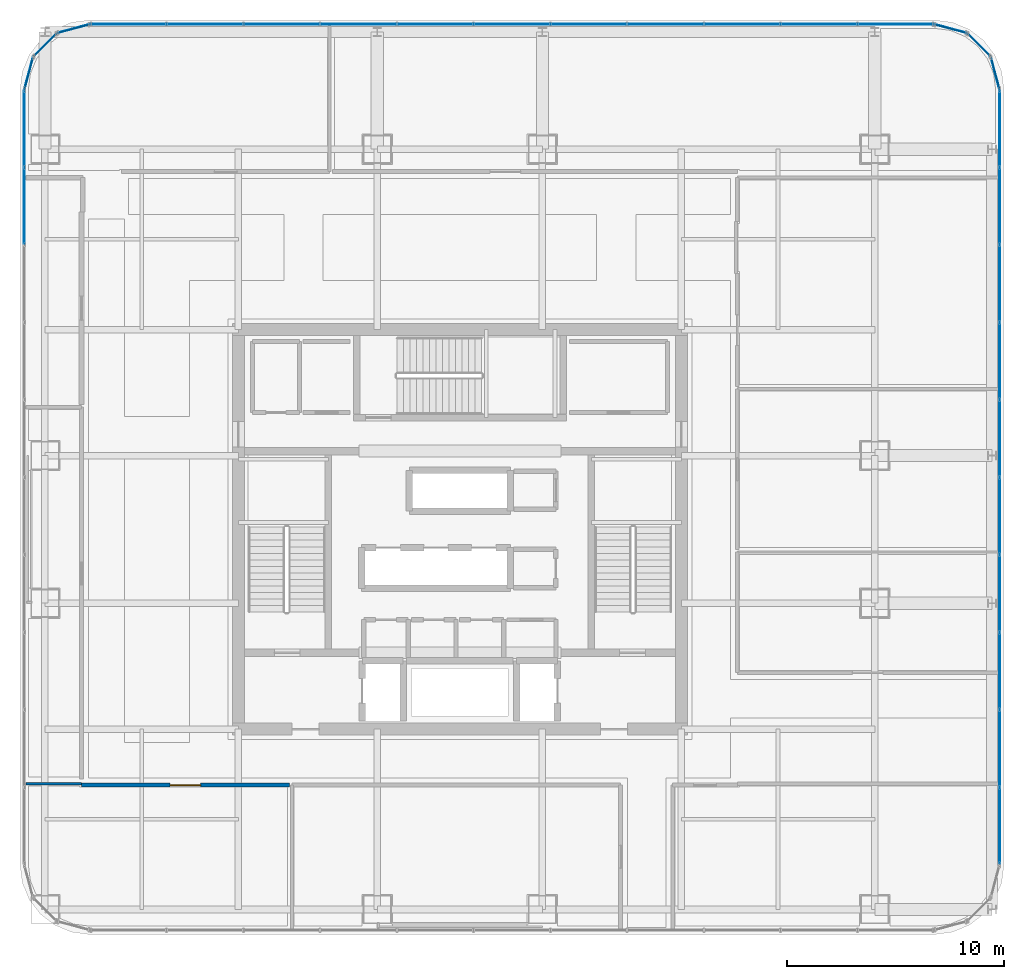
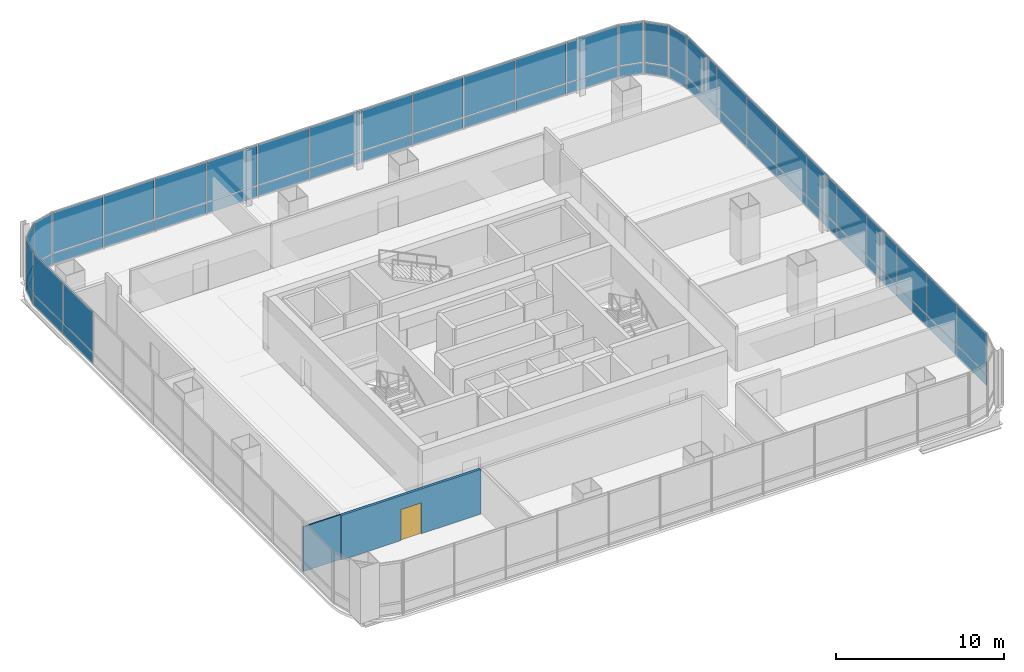
# One storey, part 32 of 42: 58 plates, 2 walls, 1 door, 1 opening, 9 elements without a shape of their own.
"""IFC4 building model written with IfcOpenShell, lengths in metres."""

from ifc_helpers import new_model, si_unit, direction, frame, frame_2d, origin, origin_2d, place, context, subcontext, project, spatial, rectangle, extrude, material, layer, layer_set, type_object, element, fill, aggregate, save


model = new_model("IFC4")

# Units and contexts
model_context = context("Model", 3, precision=1e-05, world=origin(), true_north=direction((0.0, 1.0)))
body_context = subcontext(model_context, "Body", "Model", "MODEL_VIEW")
ifc_project = project(units=[si_unit("LENGTHUNIT", "METRE"), si_unit("AREAUNIT", "SQUARE_METRE"), si_unit("VOLUMEUNIT", "CUBIC_METRE"), si_unit("PLANEANGLEUNIT", "RADIAN"), si_unit("MASSUNIT", "GRAM", prefix="KILO")], contexts=[model_context])

# Site, building, storey
site_placement = place(None, origin())
site = spatial("IfcSite", under=ifc_project, at=site_placement, CompositionType="ELEMENT")
building_placement = place(site_placement, origin())
building = spatial("IfcBuilding", under=site, at=building_placement, Name="Punatoya Terracotta Tower", CompositionType="ELEMENT")
storey_placement = place(building_placement, frame((0.0, 0.0, 255.449951171875)))
storey = spatial("IfcBuildingStorey", under=building, at=storey_placement, Name="L60", CompositionType="ELEMENT", Elevation=255.449951171875)

# Curtain wall, plates
ifc_material_1 = material(Name="Aluminium 6063-T6 + Double Low-E Glass", Category="aluminium")
curtain_wall_type = type_object("IfcCurtainWallType", Name="CW-M3", PredefinedType="NOTDEFINED", material=ifc_material_1)
curtain_wall_1_placement = place(storey_placement, origin())
curtain_wall_1 = element("IfcCurtainWall", 1, at=curtain_wall_1_placement, inside=storey, type_object=curtain_wall_type, Name="L60 Curtain Wall CW-L60-E05-1", PredefinedType="NOTDEFINED")
ifc_material_2 = material(Name="Double Low-E Acoustic Vision Glass", Category="glass")
ifc_layer_1 = layer(ifc_material_2, 0.031982421875)
ifc_layer_set_1 = layer_set([ifc_layer_1], Name="Double Low-E Acoustic Vision Glass")
plate_type_1 = type_object("IfcPlateType", Name="PLT-GLZ-32", PredefinedType="CURTAIN_PANEL", material=ifc_layer_set_1)
plate_1_placement = place(storey_placement, frame((24.85009765625, -13.6533203125, 0.89013671875), z_axis=(0.0, 0.0, 1.0), x_axis=(0.0, 1.0, 0.0)))
plate_1 = element("IfcPlate", 2, at=plate_1_placement, type_object=plate_type_1, Name="CW-L60-E05-1 Vision Glass Panel 1", PredefinedType="CURTAIN_PANEL", context=body_context, shape_type="SweptSolid", body=[
    extrude(rectangle(XDim=3.482421875, YDim=0.031982421875, at=origin_2d()), origin(), (0.0, 0.0, 1.0), 2.919921875),
])
plate_2_placement = place(storey_placement, frame((24.85009765625, -10.085693359375, 0.89013671875), z_axis=(0.0, 0.0, 1.0), x_axis=(0.0, 1.0, 0.0)))
plate_2 = element("IfcPlate", 3, at=plate_2_placement, type_object=plate_type_1, Name="CW-L60-E05-1 Vision Glass Panel 2", PredefinedType="CURTAIN_PANEL", context=body_context, shape_type="SweptSolid", body=[
    extrude(rectangle(XDim=3.482421875, YDim=0.031982421875, at=origin_2d()), origin(), (0.0, 0.0, 1.0), 2.919921875),
])
plate_3_placement = place(storey_placement, frame((24.85009765625, -6.518310546875, 0.89013671875), z_axis=(0.0, 0.0, 1.0), x_axis=(0.0, 1.0, 0.0)))
plate_3 = element("IfcPlate", 4, at=plate_3_placement, type_object=plate_type_1, Name="CW-L60-E05-1 Vision Glass Panel 3", PredefinedType="CURTAIN_PANEL", context=body_context, shape_type="SweptSolid", body=[
    extrude(rectangle(XDim=3.482421875, YDim=0.031982421875, at=origin_2d()), origin(), (0.0, 0.0, 1.0), 2.919921875),
])
plate_4_placement = place(storey_placement, frame((24.85009765625, -2.951171875, 0.89013671875), z_axis=(0.0, 0.0, 1.0), x_axis=(0.0, 1.0, 0.0)))
plate_4 = element("IfcPlate", 5, at=plate_4_placement, type_object=plate_type_1, Name="CW-L60-E05-1 Vision Glass Panel 4", PredefinedType="CURTAIN_PANEL", context=body_context, shape_type="SweptSolid", body=[
    extrude(rectangle(XDim=3.482421875, YDim=0.031982421875, at=origin_2d()), origin(), (0.0, 0.0, 1.0), 2.919921875),
])
plate_5_placement = place(storey_placement, frame((24.85009765625, 0.6162109375, 0.89013671875), z_axis=(0.0, 0.0, 1.0), x_axis=(0.0, 1.0, 0.0)))
plate_5 = element("IfcPlate", 6, at=plate_5_placement, type_object=plate_type_1, Name="CW-L60-E05-1 Vision Glass Panel 5", PredefinedType="CURTAIN_PANEL", context=body_context, shape_type="SweptSolid", body=[
    extrude(rectangle(XDim=3.482421875, YDim=0.031982421875, at=origin_2d()), origin(), (0.0, 0.0, 1.0), 2.919921875),
])
plate_6_placement = place(storey_placement, frame((24.85009765625, 4.18359375, 0.89013671875), z_axis=(0.0, 0.0, 1.0), x_axis=(0.0, 1.0, 0.0)))
plate_6 = element("IfcPlate", 7, at=plate_6_placement, type_object=plate_type_1, Name="CW-L60-E05-1 Vision Glass Panel 6", PredefinedType="CURTAIN_PANEL", context=body_context, shape_type="SweptSolid", body=[
    extrude(rectangle(XDim=3.482421875, YDim=0.031982421875, at=origin_2d()), origin(), (0.0, 0.0, 1.0), 2.919921875),
])
plate_7_placement = place(storey_placement, frame((24.85009765625, 7.751220703125, 0.89013671875), z_axis=(0.0, 0.0, 1.0), x_axis=(0.0, 1.0, 0.0)))
plate_7 = element("IfcPlate", 8, at=plate_7_placement, type_object=plate_type_1, Name="CW-L60-E05-1 Vision Glass Panel 7", PredefinedType="CURTAIN_PANEL", context=body_context, shape_type="SweptSolid", body=[
    extrude(rectangle(XDim=3.482421875, YDim=0.031982421875, at=origin_2d()), origin(), (0.0, 0.0, 1.0), 2.919921875),
])
plate_8_placement = place(storey_placement, frame((24.85009765625, 11.318359375, 0.89013671875), z_axis=(0.0, 0.0, 1.0), x_axis=(0.0, 1.0, 0.0)))
plate_8 = element("IfcPlate", 9, at=plate_8_placement, type_object=plate_type_1, Name="CW-L60-E05-1 Vision Glass Panel 8", PredefinedType="CURTAIN_PANEL", context=body_context, shape_type="SweptSolid", body=[
    extrude(rectangle(XDim=3.482421875, YDim=0.031982421875, at=origin_2d()), origin(), (0.0, 0.0, 1.0), 2.919921875),
])
plate_9_placement = place(storey_placement, frame((24.85009765625, 14.8857421875, 0.89013671875), z_axis=(0.0, 0.0, 1.0), x_axis=(0.0, 1.0, 0.0)))
plate_9 = element("IfcPlate", 10, at=plate_9_placement, type_object=plate_type_1, Name="CW-L60-E05-1 Vision Glass Panel 9", PredefinedType="CURTAIN_PANEL", context=body_context, shape_type="SweptSolid", body=[
    extrude(rectangle(XDim=3.482421875, YDim=0.031982421875, at=origin_2d()), origin(), (0.0, 0.0, 1.0), 2.919921875),
])
plate_10_placement = place(storey_placement, frame((24.85009765625, 18.453125, 0.89013671875), z_axis=(0.0, 0.0, 1.0), x_axis=(0.0, 1.0, 0.0)))
plate_10 = element("IfcPlate", 11, at=plate_10_placement, type_object=plate_type_1, Name="CW-L60-E05-1 Vision Glass Panel 10", PredefinedType="CURTAIN_PANEL", context=body_context, shape_type="SweptSolid", body=[
    extrude(rectangle(XDim=3.482421875, YDim=0.031982421875, at=origin_2d()), origin(), (0.0, 0.0, 1.0), 2.919921875),
])

# Curtain wall, plate
curtain_wall_2_placement = place(storey_placement, origin())
curtain_wall_2 = element("IfcCurtainWall", 12, at=curtain_wall_2_placement, inside=storey, type_object=curtain_wall_type, Name="L60 Curtain Wall CW-L60-CRN06", PredefinedType="NOTDEFINED")
plate_11_placement = place(storey_placement, frame((24.648193359375, 20.992919921875, 0.89013671875), z_axis=(0.0, 0.0, 1.0), x_axis=(-0.257741620719, 0.966213877436, 0.0)))
plate_11 = element("IfcPlate", 13, at=plate_11_placement, type_object=plate_type_1, Name="CW-L60-CRN06 Vision Glass Panel 1", PredefinedType="CURTAIN_PANEL", context=body_context, shape_type="SweptSolid", body=[
    extrude(rectangle(XDim=1.47998046875, YDim=0.031982421875, at=origin_2d()), origin(), (0.0, 0.0, 1.0), 2.919921875),
])

curtain_wall_3_placement = place(storey_placement, origin())
curtain_wall_3 = element("IfcCurtainWall", 14, at=curtain_wall_3_placement, inside=storey, type_object=curtain_wall_type, Name="L60 Curtain Wall CW-L60-CRN07", PredefinedType="NOTDEFINED")
plate_12_placement = place(storey_placement, frame((23.89794921875, 22.2978515625, 0.89013671875), z_axis=(0.0, 0.0, 1.0), x_axis=(-0.707106781187, 0.707106781187, 0.0)))
plate_12 = element("IfcPlate", 15, at=plate_12_placement, type_object=plate_type_1, Name="CW-L60-CRN07 Vision Glass Panel 1", PredefinedType="CURTAIN_PANEL", context=body_context, shape_type="SweptSolid", body=[
    extrude(rectangle(XDim=1.467041015625, YDim=0.031982421875, at=origin_2d()), origin(), (0.0, 0.0, 1.0), 2.919921875),
])

curtain_wall_4_placement = place(storey_placement, origin())
curtain_wall_4 = element("IfcCurtainWall", 16, at=curtain_wall_4_placement, inside=storey, type_object=curtain_wall_type, Name="L60 Curtain Wall CW-L60-CRN08", PredefinedType="NOTDEFINED")
plate_13_placement = place(storey_placement, frame((22.593017578125, 23.04833984375, 0.89013671875), z_axis=(0.0, 0.0, 1.0), x_axis=(-0.966213877436, 0.257741620719, 0.0)))
plate_13 = element("IfcPlate", 17, at=plate_13_placement, type_object=plate_type_1, Name="CW-L60-CRN08 Vision Glass Panel 1", PredefinedType="CURTAIN_PANEL", context=body_context, shape_type="SweptSolid", body=[
    extrude(rectangle(XDim=1.47998046875, YDim=0.031982421875, at=origin_2d()), origin(), (0.0, 0.0, 1.0), 2.919921875),
])

# Curtain wall, plates
curtain_wall_5_placement = place(storey_placement, origin())
curtain_wall_5 = element("IfcCurtainWall", 18, at=curtain_wall_5_placement, inside=storey, type_object=curtain_wall_type, Name="L60 Curtain Wall CW-L60-N09-1", PredefinedType="NOTDEFINED")
plate_14_placement = place(storey_placement, frame((20.06982421875, 23.25, 0.89013671875), z_axis=(0.0, 0.0, 1.0), x_axis=(-1.0, 0.0, 0.0)))
plate_14 = element("IfcPlate", 19, at=plate_14_placement, type_object=plate_type_1, Name="CW-L60-N09-1 Vision Glass Panel 1", PredefinedType="CURTAIN_PANEL", context=body_context, shape_type="SweptSolid", body=[
    extrude(rectangle(XDim=3.448974609375, YDim=0.031982421875, at=origin_2d()), origin(), (0.0, 0.0, 1.0), 2.919921875),
])
plate_15_placement = place(storey_placement, frame((16.535888671875, 23.25, 0.89013671875), z_axis=(0.0, 0.0, 1.0), x_axis=(-1.0, 0.0, 0.0)))
plate_15 = element("IfcPlate", 20, at=plate_15_placement, type_object=plate_type_1, Name="CW-L60-N09-1 Vision Glass Panel 2", PredefinedType="CURTAIN_PANEL", context=body_context, shape_type="SweptSolid", body=[
    extrude(rectangle(XDim=3.448974609375, YDim=0.031982421875, at=origin_2d()), origin(), (0.0, 0.0, 1.0), 2.919921875),
])
plate_16_placement = place(storey_placement, frame((13.001953125, 23.25, 0.89013671875), z_axis=(0.0, 0.0, 1.0), x_axis=(-1.0, 0.0, 0.0)))
plate_16 = element("IfcPlate", 21, at=plate_16_placement, type_object=plate_type_1, Name="CW-L60-N09-1 Vision Glass Panel 3", PredefinedType="CURTAIN_PANEL", context=body_context, shape_type="SweptSolid", body=[
    extrude(rectangle(XDim=3.448974609375, YDim=0.031982421875, at=origin_2d()), origin(), (0.0, 0.0, 1.0), 2.919921875),
])
plate_17_placement = place(storey_placement, frame((9.468017578125, 23.25, 0.89013671875), z_axis=(0.0, 0.0, 1.0), x_axis=(-1.0, 0.0, 0.0)))
plate_17 = element("IfcPlate", 22, at=plate_17_placement, type_object=plate_type_1, Name="CW-L60-N09-1 Vision Glass Panel 4", PredefinedType="CURTAIN_PANEL", context=body_context, shape_type="SweptSolid", body=[
    extrude(rectangle(XDim=3.448974609375, YDim=0.031982421875, at=origin_2d()), origin(), (0.0, 0.0, 1.0), 2.919921875),
])
plate_18_placement = place(storey_placement, frame((5.93408203125, 23.25, 0.89013671875), z_axis=(0.0, 0.0, 1.0), x_axis=(-1.0, 0.0, 0.0)))
plate_18 = element("IfcPlate", 23, at=plate_18_placement, type_object=plate_type_1, Name="CW-L60-N09-1 Vision Glass Panel 5", PredefinedType="CURTAIN_PANEL", context=body_context, shape_type="SweptSolid", body=[
    extrude(rectangle(XDim=3.448974609375, YDim=0.031982421875, at=origin_2d()), origin(), (0.0, 0.0, 1.0), 2.919921875),
])
plate_19_placement = place(storey_placement, frame((2.39990234375, 23.25, 0.89013671875), z_axis=(0.0, 0.0, 1.0), x_axis=(-1.0, 0.0, 0.0)))
plate_19 = element("IfcPlate", 24, at=plate_19_placement, type_object=plate_type_1, Name="CW-L60-N09-1 Vision Glass Panel 6", PredefinedType="CURTAIN_PANEL", context=body_context, shape_type="SweptSolid", body=[
    extrude(rectangle(XDim=3.448974609375, YDim=0.031982421875, at=origin_2d()), origin(), (0.0, 0.0, 1.0), 2.919921875),
])
plate_20_placement = place(storey_placement, frame((-1.134033203125, 23.25, 0.89013671875), z_axis=(0.0, 0.0, 1.0), x_axis=(-1.0, 0.0, 0.0)))
plate_20 = element("IfcPlate", 25, at=plate_20_placement, type_object=plate_type_1, Name="CW-L60-N09-1 Vision Glass Panel 7", PredefinedType="CURTAIN_PANEL", context=body_context, shape_type="SweptSolid", body=[
    extrude(rectangle(XDim=3.448974609375, YDim=0.031982421875, at=origin_2d()), origin(), (0.0, 0.0, 1.0), 2.919921875),
])
plate_21_placement = place(storey_placement, frame((-4.66796875, 23.25, 0.89013671875), z_axis=(0.0, 0.0, 1.0), x_axis=(-1.0, 0.0, 0.0)))
plate_21 = element("IfcPlate", 26, at=plate_21_placement, type_object=plate_type_1, Name="CW-L60-N09-1 Vision Glass Panel 8", PredefinedType="CURTAIN_PANEL", context=body_context, shape_type="SweptSolid", body=[
    extrude(rectangle(XDim=3.448974609375, YDim=0.031982421875, at=origin_2d()), origin(), (0.0, 0.0, 1.0), 2.919921875),
])
plate_22_placement = place(storey_placement, frame((-8.201904296875, 23.25, 0.89013671875), z_axis=(0.0, 0.0, 1.0), x_axis=(-1.0, 0.0, 0.0)))
plate_22 = element("IfcPlate", 27, at=plate_22_placement, type_object=plate_type_1, Name="CW-L60-N09-1 Vision Glass Panel 9", PredefinedType="CURTAIN_PANEL", context=body_context, shape_type="SweptSolid", body=[
    extrude(rectangle(XDim=3.448974609375, YDim=0.031982421875, at=origin_2d()), origin(), (0.0, 0.0, 1.0), 2.919921875),
])
plate_23_placement = place(storey_placement, frame((-11.73583984375, 23.25, 0.89013671875), z_axis=(0.0, 0.0, 1.0), x_axis=(-1.0, 0.0, 0.0)))
plate_23 = element("IfcPlate", 28, at=plate_23_placement, type_object=plate_type_1, Name="CW-L60-N09-1 Vision Glass Panel 10", PredefinedType="CURTAIN_PANEL", context=body_context, shape_type="SweptSolid", body=[
    extrude(rectangle(XDim=3.448974609375, YDim=0.031982421875, at=origin_2d()), origin(), (0.0, 0.0, 1.0), 2.919921875),
])
plate_24_placement = place(storey_placement, frame((-15.27001953125, 23.25, 0.89013671875), z_axis=(0.0, 0.0, 1.0), x_axis=(-1.0, 0.0, 0.0)))
plate_24 = element("IfcPlate", 29, at=plate_24_placement, type_object=plate_type_1, Name="CW-L60-N09-1 Vision Glass Panel 11", PredefinedType="CURTAIN_PANEL", context=body_context, shape_type="SweptSolid", body=[
    extrude(rectangle(XDim=3.448974609375, YDim=0.031982421875, at=origin_2d()), origin(), (0.0, 0.0, 1.0), 2.919921875),
])

# Curtain wall, plate
curtain_wall_6_placement = place(storey_placement, origin())
curtain_wall_6 = element("IfcCurtainWall", 30, at=curtain_wall_6_placement, inside=storey, type_object=curtain_wall_type, Name="L60 Curtain Wall CW-L60-CRN10", PredefinedType="NOTDEFINED")
plate_25_placement = place(storey_placement, frame((-17.79296875, 23.04833984375, 0.89013671875), z_axis=(0.0, 0.0, 1.0), x_axis=(-0.966213877436, -0.257741620719, 0.0)))
plate_25 = element("IfcPlate", 31, at=plate_25_placement, type_object=plate_type_1, Name="CW-L60-CRN10 Vision Glass Panel 1", PredefinedType="CURTAIN_PANEL", context=body_context, shape_type="SweptSolid", body=[
    extrude(rectangle(XDim=1.47998046875, YDim=0.031982421875, at=origin_2d()), origin(), (0.0, 0.0, 1.0), 2.919921875),
])

curtain_wall_7_placement = place(storey_placement, origin())
curtain_wall_7 = element("IfcCurtainWall", 32, at=curtain_wall_7_placement, inside=storey, type_object=curtain_wall_type, Name="L60 Curtain Wall CW-L60-CRN11", PredefinedType="NOTDEFINED")
plate_26_placement = place(storey_placement, frame((-19.097900390625, 22.2978515625, 0.89013671875), z_axis=(0.0, 0.0, 1.0), x_axis=(-0.707106781187, -0.707106781187, 0.0)))
plate_26 = element("IfcPlate", 33, at=plate_26_placement, type_object=plate_type_1, Name="CW-L60-CRN11 Vision Glass Panel 1", PredefinedType="CURTAIN_PANEL", context=body_context, shape_type="SweptSolid", body=[
    extrude(rectangle(XDim=1.467041015625, YDim=0.031982421875, at=origin_2d()), origin(), (0.0, 0.0, 1.0), 2.919921875),
])

curtain_wall_8_placement = place(storey_placement, origin())
curtain_wall_8 = element("IfcCurtainWall", 34, at=curtain_wall_8_placement, inside=storey, type_object=curtain_wall_type, Name="L60 Curtain Wall CW-L60-CRN12", PredefinedType="NOTDEFINED")
plate_27_placement = place(storey_placement, frame((-19.848388671875, 20.992919921875, 0.89013671875), z_axis=(0.0, 0.0, 1.0), x_axis=(-0.257741620719, -0.966213877436, 0.0)))
plate_27 = element("IfcPlate", 35, at=plate_27_placement, type_object=plate_type_1, Name="CW-L60-CRN12 Vision Glass Panel 1", PredefinedType="CURTAIN_PANEL", context=body_context, shape_type="SweptSolid", body=[
    extrude(rectangle(XDim=1.47998046875, YDim=0.031982421875, at=origin_2d()), origin(), (0.0, 0.0, 1.0), 2.919921875),
])

# Curtain wall, plates
curtain_wall_9_placement = place(storey_placement, origin())
curtain_wall_9 = element("IfcCurtainWall", 36, at=curtain_wall_9_placement, inside=storey, type_object=curtain_wall_type, Name="L60 Curtain Wall CW-L60-W13-1", PredefinedType="NOTDEFINED")
plate_28_placement = place(storey_placement, frame((-20.050048828125, 18.453125, 0.89013671875), z_axis=(0.0, 0.0, 1.0), x_axis=(0.0, -1.0, 0.0)))
plate_28 = element("IfcPlate", 37, at=plate_28_placement, type_object=plate_type_1, Name="CW-L60-W13-1 Vision Glass Panel 1", PredefinedType="CURTAIN_PANEL", context=body_context, shape_type="SweptSolid", body=[
    extrude(rectangle(XDim=3.482421875, YDim=0.031982421875, at=origin_2d()), origin(), (0.0, 0.0, 1.0), 2.919921875),
])
plate_29_placement = place(storey_placement, frame((-20.050048828125, 14.8857421875, 0.89013671875), z_axis=(0.0, 0.0, 1.0), x_axis=(0.0, -1.0, 0.0)))
plate_29 = element("IfcPlate", 38, at=plate_29_placement, type_object=plate_type_1, Name="CW-L60-W13-1 Vision Glass Panel 2", PredefinedType="CURTAIN_PANEL", context=body_context, shape_type="SweptSolid", body=[
    extrude(rectangle(XDim=3.482421875, YDim=0.031982421875, at=origin_2d()), origin(), (0.0, 0.0, 1.0), 2.919921875),
])

# Plate
ifc_material_3 = material(Name="Insulated Terracotta-Backed Spandrel Panel", Category="masonry")
ifc_layer_2 = layer(ifc_material_3, 0.044921875)
ifc_layer_set_2 = layer_set([ifc_layer_2], Name="Insulated Terracotta-Backed Spandrel Panel")
plate_type_2 = type_object("IfcPlateType", Name="PLT-SPN-45", PredefinedType="CURTAIN_PANEL", material=ifc_layer_set_2)
plate_30_placement = place(storey_placement, frame((24.85009765625, -13.6533203125, 0.0400390625), z_axis=(0.0, 0.0, 1.0), x_axis=(0.0, 1.0, 0.0)))
plate_30 = element("IfcPlate", 39, at=plate_30_placement, type_object=plate_type_2, Name="CW-L60-E05-1 Terracotta Spandrel Panel 1", PredefinedType="CURTAIN_PANEL", context=body_context, shape_type="SweptSolid", body=[
    extrude(rectangle(XDim=3.482421875, YDim=0.044921875, at=origin_2d()), origin(), (0.0, 0.0, 1.0), 0.77490234375),
])

plate_31_placement = place(storey_placement, frame((24.85009765625, -10.085693359375, 0.0400390625), z_axis=(0.0, 0.0, 1.0), x_axis=(0.0, 1.0, 0.0)))
plate_31 = element("IfcPlate", 40, at=plate_31_placement, type_object=plate_type_2, Name="CW-L60-E05-1 Terracotta Spandrel Panel 2", PredefinedType="CURTAIN_PANEL", context=body_context, shape_type="SweptSolid", body=[
    extrude(rectangle(XDim=3.482421875, YDim=0.044921875, at=origin_2d()), origin(), (0.0, 0.0, 1.0), 0.77490234375),
])

plate_32_placement = place(storey_placement, frame((24.85009765625, -6.518310546875, 0.0400390625), z_axis=(0.0, 0.0, 1.0), x_axis=(0.0, 1.0, 0.0)))
plate_32 = element("IfcPlate", 41, at=plate_32_placement, type_object=plate_type_2, Name="CW-L60-E05-1 Terracotta Spandrel Panel 3", PredefinedType="CURTAIN_PANEL", context=body_context, shape_type="SweptSolid", body=[
    extrude(rectangle(XDim=3.482421875, YDim=0.044921875, at=origin_2d()), origin(), (0.0, 0.0, 1.0), 0.77490234375),
])

plate_33_placement = place(storey_placement, frame((24.85009765625, -2.951171875, 0.0400390625), z_axis=(0.0, 0.0, 1.0), x_axis=(0.0, 1.0, 0.0)))
plate_33 = element("IfcPlate", 42, at=plate_33_placement, type_object=plate_type_2, Name="CW-L60-E05-1 Terracotta Spandrel Panel 4", PredefinedType="CURTAIN_PANEL", context=body_context, shape_type="SweptSolid", body=[
    extrude(rectangle(XDim=3.482421875, YDim=0.044921875, at=origin_2d()), origin(), (0.0, 0.0, 1.0), 0.77490234375),
])

plate_34_placement = place(storey_placement, frame((24.85009765625, 0.6162109375, 0.0400390625), z_axis=(0.0, 0.0, 1.0), x_axis=(0.0, 1.0, 0.0)))
plate_34 = element("IfcPlate", 43, at=plate_34_placement, type_object=plate_type_2, Name="CW-L60-E05-1 Terracotta Spandrel Panel 5", PredefinedType="CURTAIN_PANEL", context=body_context, shape_type="SweptSolid", body=[
    extrude(rectangle(XDim=3.482421875, YDim=0.044921875, at=origin_2d()), origin(), (0.0, 0.0, 1.0), 0.77490234375),
])

plate_35_placement = place(storey_placement, frame((24.85009765625, 4.18359375, 0.0400390625), z_axis=(0.0, 0.0, 1.0), x_axis=(0.0, 1.0, 0.0)))
plate_35 = element("IfcPlate", 44, at=plate_35_placement, type_object=plate_type_2, Name="CW-L60-E05-1 Terracotta Spandrel Panel 6", PredefinedType="CURTAIN_PANEL", context=body_context, shape_type="SweptSolid", body=[
    extrude(rectangle(XDim=3.482421875, YDim=0.044921875, at=origin_2d()), origin(), (0.0, 0.0, 1.0), 0.77490234375),
])

plate_36_placement = place(storey_placement, frame((24.85009765625, 7.751220703125, 0.0400390625), z_axis=(0.0, 0.0, 1.0), x_axis=(0.0, 1.0, 0.0)))
plate_36 = element("IfcPlate", 45, at=plate_36_placement, type_object=plate_type_2, Name="CW-L60-E05-1 Terracotta Spandrel Panel 7", PredefinedType="CURTAIN_PANEL", context=body_context, shape_type="SweptSolid", body=[
    extrude(rectangle(XDim=3.482421875, YDim=0.044921875, at=origin_2d()), origin(), (0.0, 0.0, 1.0), 0.77490234375),
])

plate_37_placement = place(storey_placement, frame((24.85009765625, 11.318359375, 0.0400390625), z_axis=(0.0, 0.0, 1.0), x_axis=(0.0, 1.0, 0.0)))
plate_37 = element("IfcPlate", 46, at=plate_37_placement, type_object=plate_type_2, Name="CW-L60-E05-1 Terracotta Spandrel Panel 8", PredefinedType="CURTAIN_PANEL", context=body_context, shape_type="SweptSolid", body=[
    extrude(rectangle(XDim=3.482421875, YDim=0.044921875, at=origin_2d()), origin(), (0.0, 0.0, 1.0), 0.77490234375),
])

plate_38_placement = place(storey_placement, frame((24.85009765625, 14.8857421875, 0.0400390625), z_axis=(0.0, 0.0, 1.0), x_axis=(0.0, 1.0, 0.0)))
plate_38 = element("IfcPlate", 47, at=plate_38_placement, type_object=plate_type_2, Name="CW-L60-E05-1 Terracotta Spandrel Panel 9", PredefinedType="CURTAIN_PANEL", context=body_context, shape_type="SweptSolid", body=[
    extrude(rectangle(XDim=3.482421875, YDim=0.044921875, at=origin_2d()), origin(), (0.0, 0.0, 1.0), 0.77490234375),
])

plate_39_placement = place(storey_placement, frame((24.85009765625, 18.453125, 0.0400390625), z_axis=(0.0, 0.0, 1.0), x_axis=(0.0, 1.0, 0.0)))
plate_39 = element("IfcPlate", 48, at=plate_39_placement, type_object=plate_type_2, Name="CW-L60-E05-1 Terracotta Spandrel Panel 10", PredefinedType="CURTAIN_PANEL", context=body_context, shape_type="SweptSolid", body=[
    extrude(rectangle(XDim=3.482421875, YDim=0.044921875, at=origin_2d()), origin(), (0.0, 0.0, 1.0), 0.77490234375),
])

aggregate(curtain_wall_1, [plate_30, plate_1, plate_31, plate_2, plate_32, plate_3, plate_33, plate_4, plate_34, plate_5, plate_35, plate_6, plate_36, plate_7, plate_37, plate_8, plate_38, plate_9, plate_39, plate_10])

plate_40_placement = place(storey_placement, frame((24.648193359375, 20.992919921875, 0.0400390625), z_axis=(0.0, 0.0, 1.0), x_axis=(-0.257741620719, 0.966213877436, 0.0)))
plate_40 = element("IfcPlate", 49, at=plate_40_placement, type_object=plate_type_2, Name="CW-L60-CRN06 Terracotta Spandrel Panel 1", PredefinedType="CURTAIN_PANEL", context=body_context, shape_type="SweptSolid", body=[
    extrude(rectangle(XDim=1.47998046875, YDim=0.044921875, at=origin_2d()), origin(), (0.0, 0.0, 1.0), 0.77490234375),
])

aggregate(curtain_wall_2, [plate_40, plate_11])

plate_41_placement = place(storey_placement, frame((23.89794921875, 22.2978515625, 0.0400390625), z_axis=(0.0, 0.0, 1.0), x_axis=(-0.707106781187, 0.707106781187, 0.0)))
plate_41 = element("IfcPlate", 50, at=plate_41_placement, type_object=plate_type_2, Name="CW-L60-CRN07 Terracotta Spandrel Panel 1", PredefinedType="CURTAIN_PANEL", context=body_context, shape_type="SweptSolid", body=[
    extrude(rectangle(XDim=1.467041015625, YDim=0.044921875, at=origin_2d()), origin(), (0.0, 0.0, 1.0), 0.77490234375),
])

aggregate(curtain_wall_3, [plate_41, plate_12])

plate_42_placement = place(storey_placement, frame((22.593017578125, 23.04833984375, 0.0400390625), z_axis=(0.0, 0.0, 1.0), x_axis=(-0.966213877436, 0.257741620719, 0.0)))
plate_42 = element("IfcPlate", 51, at=plate_42_placement, type_object=plate_type_2, Name="CW-L60-CRN08 Terracotta Spandrel Panel 1", PredefinedType="CURTAIN_PANEL", context=body_context, shape_type="SweptSolid", body=[
    extrude(rectangle(XDim=1.47998046875, YDim=0.044921875, at=origin_2d()), origin(), (0.0, 0.0, 1.0), 0.77490234375),
])

aggregate(curtain_wall_4, [plate_42, plate_13])

plate_43_placement = place(storey_placement, frame((20.06982421875, 23.25, 0.0400390625), z_axis=(0.0, 0.0, 1.0), x_axis=(-1.0, 0.0, 0.0)))
plate_43 = element("IfcPlate", 52, at=plate_43_placement, type_object=plate_type_2, Name="CW-L60-N09-1 Terracotta Spandrel Panel 1", PredefinedType="CURTAIN_PANEL", context=body_context, shape_type="SweptSolid", body=[
    extrude(rectangle(XDim=3.448974609375, YDim=0.044921875, at=origin_2d()), origin(), (0.0, 0.0, 1.0), 0.77490234375),
])

plate_44_placement = place(storey_placement, frame((16.535888671875, 23.25, 0.0400390625), z_axis=(0.0, 0.0, 1.0), x_axis=(-1.0, 0.0, 0.0)))
plate_44 = element("IfcPlate", 53, at=plate_44_placement, type_object=plate_type_2, Name="CW-L60-N09-1 Terracotta Spandrel Panel 2", PredefinedType="CURTAIN_PANEL", context=body_context, shape_type="SweptSolid", body=[
    extrude(rectangle(XDim=3.448974609375, YDim=0.044921875, at=origin_2d()), origin(), (0.0, 0.0, 1.0), 0.77490234375),
])

plate_45_placement = place(storey_placement, frame((13.001953125, 23.25, 0.0400390625), z_axis=(0.0, 0.0, 1.0), x_axis=(-1.0, 0.0, 0.0)))
plate_45 = element("IfcPlate", 54, at=plate_45_placement, type_object=plate_type_2, Name="CW-L60-N09-1 Terracotta Spandrel Panel 3", PredefinedType="CURTAIN_PANEL", context=body_context, shape_type="SweptSolid", body=[
    extrude(rectangle(XDim=3.448974609375, YDim=0.044921875, at=origin_2d()), origin(), (0.0, 0.0, 1.0), 0.77490234375),
])

plate_46_placement = place(storey_placement, frame((9.468017578125, 23.25, 0.0400390625), z_axis=(0.0, 0.0, 1.0), x_axis=(-1.0, 0.0, 0.0)))
plate_46 = element("IfcPlate", 55, at=plate_46_placement, type_object=plate_type_2, Name="CW-L60-N09-1 Terracotta Spandrel Panel 4", PredefinedType="CURTAIN_PANEL", context=body_context, shape_type="SweptSolid", body=[
    extrude(rectangle(XDim=3.448974609375, YDim=0.044921875, at=origin_2d()), origin(), (0.0, 0.0, 1.0), 0.77490234375),
])

plate_47_placement = place(storey_placement, frame((5.93408203125, 23.25, 0.0400390625), z_axis=(0.0, 0.0, 1.0), x_axis=(-1.0, 0.0, 0.0)))
plate_47 = element("IfcPlate", 56, at=plate_47_placement, type_object=plate_type_2, Name="CW-L60-N09-1 Terracotta Spandrel Panel 5", PredefinedType="CURTAIN_PANEL", context=body_context, shape_type="SweptSolid", body=[
    extrude(rectangle(XDim=3.448974609375, YDim=0.044921875, at=origin_2d()), origin(), (0.0, 0.0, 1.0), 0.77490234375),
])

plate_48_placement = place(storey_placement, frame((2.39990234375, 23.25, 0.0400390625), z_axis=(0.0, 0.0, 1.0), x_axis=(-1.0, 0.0, 0.0)))
plate_48 = element("IfcPlate", 57, at=plate_48_placement, type_object=plate_type_2, Name="CW-L60-N09-1 Terracotta Spandrel Panel 6", PredefinedType="CURTAIN_PANEL", context=body_context, shape_type="SweptSolid", body=[
    extrude(rectangle(XDim=3.448974609375, YDim=0.044921875, at=origin_2d()), origin(), (0.0, 0.0, 1.0), 0.77490234375),
])

plate_49_placement = place(storey_placement, frame((-1.134033203125, 23.25, 0.0400390625), z_axis=(0.0, 0.0, 1.0), x_axis=(-1.0, 0.0, 0.0)))
plate_49 = element("IfcPlate", 58, at=plate_49_placement, type_object=plate_type_2, Name="CW-L60-N09-1 Terracotta Spandrel Panel 7", PredefinedType="CURTAIN_PANEL", context=body_context, shape_type="SweptSolid", body=[
    extrude(rectangle(XDim=3.448974609375, YDim=0.044921875, at=origin_2d()), origin(), (0.0, 0.0, 1.0), 0.77490234375),
])

plate_50_placement = place(storey_placement, frame((-4.66796875, 23.25, 0.0400390625), z_axis=(0.0, 0.0, 1.0), x_axis=(-1.0, 0.0, 0.0)))
plate_50 = element("IfcPlate", 59, at=plate_50_placement, type_object=plate_type_2, Name="CW-L60-N09-1 Terracotta Spandrel Panel 8", PredefinedType="CURTAIN_PANEL", context=body_context, shape_type="SweptSolid", body=[
    extrude(rectangle(XDim=3.448974609375, YDim=0.044921875, at=origin_2d()), origin(), (0.0, 0.0, 1.0), 0.77490234375),
])

plate_51_placement = place(storey_placement, frame((-8.201904296875, 23.25, 0.0400390625), z_axis=(0.0, 0.0, 1.0), x_axis=(-1.0, 0.0, 0.0)))
plate_51 = element("IfcPlate", 60, at=plate_51_placement, type_object=plate_type_2, Name="CW-L60-N09-1 Terracotta Spandrel Panel 9", PredefinedType="CURTAIN_PANEL", context=body_context, shape_type="SweptSolid", body=[
    extrude(rectangle(XDim=3.448974609375, YDim=0.044921875, at=origin_2d()), origin(), (0.0, 0.0, 1.0), 0.77490234375),
])

plate_52_placement = place(storey_placement, frame((-11.73583984375, 23.25, 0.0400390625), z_axis=(0.0, 0.0, 1.0), x_axis=(-1.0, 0.0, 0.0)))
plate_52 = element("IfcPlate", 61, at=plate_52_placement, type_object=plate_type_2, Name="CW-L60-N09-1 Terracotta Spandrel Panel 10", PredefinedType="CURTAIN_PANEL", context=body_context, shape_type="SweptSolid", body=[
    extrude(rectangle(XDim=3.448974609375, YDim=0.044921875, at=origin_2d()), origin(), (0.0, 0.0, 1.0), 0.77490234375),
])

plate_53_placement = place(storey_placement, frame((-15.27001953125, 23.25, 0.0400390625), z_axis=(0.0, 0.0, 1.0), x_axis=(-1.0, 0.0, 0.0)))
plate_53 = element("IfcPlate", 62, at=plate_53_placement, type_object=plate_type_2, Name="CW-L60-N09-1 Terracotta Spandrel Panel 11", PredefinedType="CURTAIN_PANEL", context=body_context, shape_type="SweptSolid", body=[
    extrude(rectangle(XDim=3.448974609375, YDim=0.044921875, at=origin_2d()), origin(), (0.0, 0.0, 1.0), 0.77490234375),
])

aggregate(curtain_wall_5, [plate_43, plate_14, plate_44, plate_15, plate_45, plate_16, plate_46, plate_17, plate_47, plate_18, plate_48, plate_19, plate_49, plate_20, plate_50, plate_21, plate_51, plate_22, plate_52, plate_23, plate_53, plate_24])

plate_54_placement = place(storey_placement, frame((-17.79296875, 23.04833984375, 0.0400390625), z_axis=(0.0, 0.0, 1.0), x_axis=(-0.966213877436, -0.257741620719, 0.0)))
plate_54 = element("IfcPlate", 63, at=plate_54_placement, type_object=plate_type_2, Name="CW-L60-CRN10 Terracotta Spandrel Panel 1", PredefinedType="CURTAIN_PANEL", context=body_context, shape_type="SweptSolid", body=[
    extrude(rectangle(XDim=1.47998046875, YDim=0.044921875, at=origin_2d()), origin(), (0.0, 0.0, 1.0), 0.77490234375),
])

aggregate(curtain_wall_6, [plate_54, plate_25])

plate_55_placement = place(storey_placement, frame((-19.097900390625, 22.2978515625, 0.0400390625), z_axis=(0.0, 0.0, 1.0), x_axis=(-0.707106781187, -0.707106781187, 0.0)))
plate_55 = element("IfcPlate", 64, at=plate_55_placement, type_object=plate_type_2, Name="CW-L60-CRN11 Terracotta Spandrel Panel 1", PredefinedType="CURTAIN_PANEL", context=body_context, shape_type="SweptSolid", body=[
    extrude(rectangle(XDim=1.467041015625, YDim=0.044921875, at=origin_2d()), origin(), (0.0, 0.0, 1.0), 0.77490234375),
])

aggregate(curtain_wall_7, [plate_55, plate_26])

plate_56_placement = place(storey_placement, frame((-19.848388671875, 20.992919921875, 0.0400390625), z_axis=(0.0, 0.0, 1.0), x_axis=(-0.257741620719, -0.966213877436, 0.0)))
plate_56 = element("IfcPlate", 65, at=plate_56_placement, type_object=plate_type_2, Name="CW-L60-CRN12 Terracotta Spandrel Panel 1", PredefinedType="CURTAIN_PANEL", context=body_context, shape_type="SweptSolid", body=[
    extrude(rectangle(XDim=1.47998046875, YDim=0.044921875, at=origin_2d()), origin(), (0.0, 0.0, 1.0), 0.77490234375),
])

aggregate(curtain_wall_8, [plate_56, plate_27])

plate_57_placement = place(storey_placement, frame((-20.050048828125, 18.453125, 0.0400390625), z_axis=(0.0, 0.0, 1.0), x_axis=(0.0, -1.0, 0.0)))
plate_57 = element("IfcPlate", 66, at=plate_57_placement, type_object=plate_type_2, Name="CW-L60-W13-1 Terracotta Spandrel Panel 1", PredefinedType="CURTAIN_PANEL", context=body_context, shape_type="SweptSolid", body=[
    extrude(rectangle(XDim=3.482421875, YDim=0.044921875, at=origin_2d()), origin(), (0.0, 0.0, 1.0), 0.77490234375),
])

plate_58_placement = place(storey_placement, frame((-20.050048828125, 14.8857421875, 0.0400390625), z_axis=(0.0, 0.0, 1.0), x_axis=(0.0, -1.0, 0.0)))
plate_58 = element("IfcPlate", 67, at=plate_58_placement, type_object=plate_type_2, Name="CW-L60-W13-1 Terracotta Spandrel Panel 2", PredefinedType="CURTAIN_PANEL", context=body_context, shape_type="SweptSolid", body=[
    extrude(rectangle(XDim=3.482421875, YDim=0.044921875, at=origin_2d()), origin(), (0.0, 0.0, 1.0), 0.77490234375),
])

aggregate(curtain_wall_9, [plate_57, plate_28, plate_58, plate_29])

# Wall, opening, door
ifc_material_4 = material(Name="Gypsum Fireboard + Steel Stud", Category="steel")
ifc_layer_3 = layer(ifc_material_4, 0.179931640625)
ifc_layer_set_3 = layer_set([ifc_layer_3], Name="Gypsum Fireboard + Steel Stud")
wall_type_1 = type_object("IfcWallType", Name="WL-CORR-180", PredefinedType="PARTITIONING", material=ifc_layer_set_3)
wall_1_placement = place(storey_placement, frame((-17.419921875, -11.77001953125, 0.0), z_axis=(0.0, 0.0, 1.0), x_axis=(1.0, 0.0, 0.0)))
wall_1 = element("IfcWall", 68, at=wall_1_placement, inside=storey, type_object=wall_type_1, Name="L60 Open-Plan Media Broadcast Studio Partition 29", PredefinedType="PARTITIONING", context=body_context, shape_type="SweptSolid", body=[
    extrude(rectangle(XDim=9.573974609375, YDim=0.179931640625, at=frame_2d((4.787109375, 0.0))), origin(), (0.0, 0.0, 1.0), 3.244140625),
])
opening_placement = place(wall_1_placement, frame((4.0869140625, 0.0, 0.0)))
opening = element("IfcOpeningElement", 69, at=opening_placement, cuts=wall_1, Name="Opening BD-01", PredefinedType="OPENING", context=body_context, shape_type="SweptSolid", body=[
    extrude(rectangle(XDim=1.39990234375, YDim=2.25, at=frame_2d((0.699951171875, 1.125))), frame((0.0, 0.099853515625, 0.0), z_axis=(0.0, -1.0, 0.0), x_axis=(1.0, 0.0, 0.0)), (0.0, 0.0, 1.0), 0.199951171875),
])
ifc_material_5 = material(Name="Bengal Teak Acoustic Leaf")
door_type = type_object("IfcDoorType", Name="DR-BRD-1400", OperationType="NOTDEFINED", PredefinedType="DOOR", material=ifc_material_5)
door_placement = place(opening_placement, origin())
door = element("IfcDoor", 70, at=door_placement, inside=storey, type_object=door_type, Name="L60 Open-Plan Media Broadcast Studio Door", OperationType="SINGLE_SWING_LEFT", OverallHeight=2.25, OverallWidth=1.39990234375, PredefinedType="DOOR", context=body_context, shape_type="SweptSolid", body=[
    extrude(rectangle(XDim=1.39990234375, YDim=2.25, at=frame_2d((0.699951171875, 1.125))), frame((0.0, 0.02490234375, 0.0), z_axis=(0.0, -1.0, 0.0), x_axis=(1.0, 0.0, 0.0)), (0.0, 0.0, 1.0), 0.050048828125),
])
fill(opening, door)

# Wall
ifc_material_6 = material(Name="Aluminium Framed Acoustic Glass Partition", Category="aluminium")
ifc_layer_4 = layer(ifc_material_6, 0.10009765625)
ifc_layer_set_4 = layer_set([ifc_layer_4], Name="Aluminium Framed Acoustic Glass Partition")
wall_type_2 = type_object("IfcWallType", Name="WL-GLZ-100", PredefinedType="PARTITIONING", material=ifc_layer_set_4)
wall_2_placement = place(storey_placement, frame((-19.969970703125, -11.7099609375, 0.0), z_axis=(0.0, 0.0, 1.0), x_axis=(1.0, 0.0, 0.0)))
element("IfcWall", 71, at=wall_2_placement, inside=storey, type_object=wall_type_2, Name="L60 Open-Plan Media Broadcast Studio Partition 28", PredefinedType="PARTITIONING", context=body_context, shape_type="SweptSolid", body=[
    extrude(rectangle(XDim=2.550048828125, YDim=0.10009765625, at=frame_2d((1.27490234375, 0.0))), origin(), (0.0, 0.0, 1.0), 3.244140625),
])

save(model, "model.ifc")
